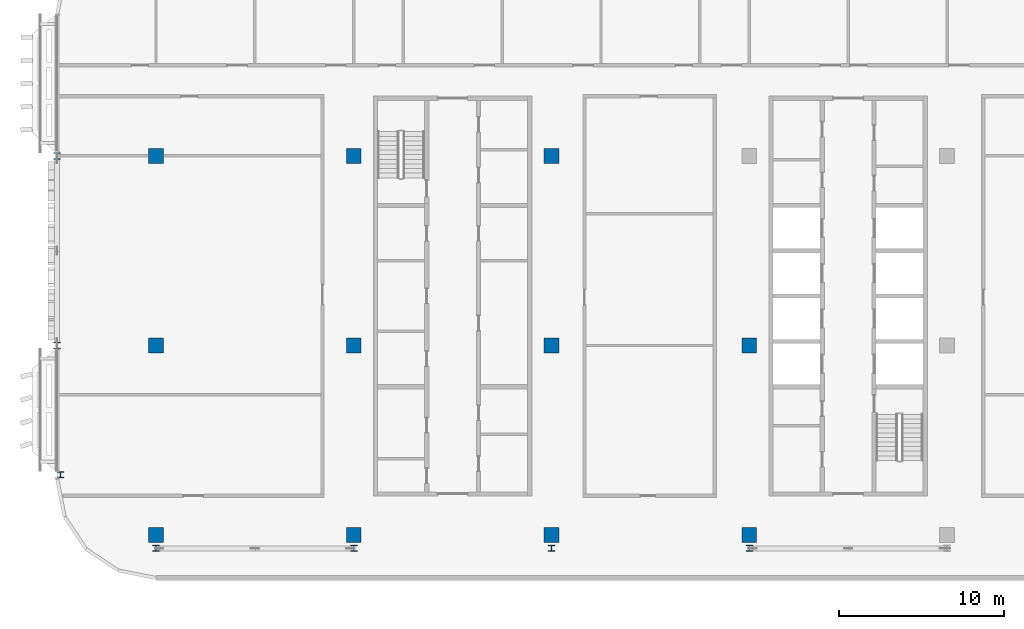
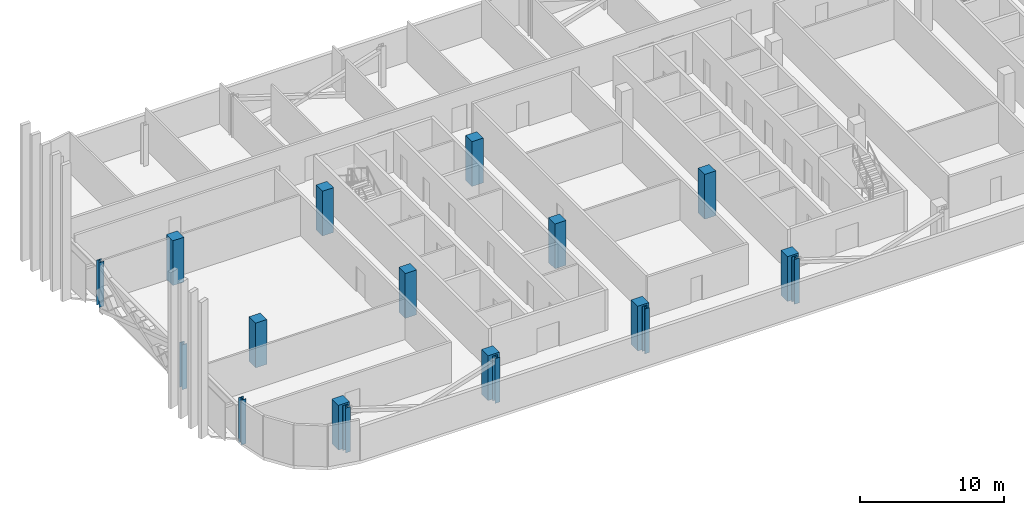
# One storey, part 1 of 30: 18 columns.
"""IFC4 building model written with IfcOpenShell, lengths in metres."""

from ifc_helpers import new_model, si_unit, direction, frame, origin, origin_2d, place, context, subcontext, project, spatial, rectangle, i_section, extrude, material, material_profile, profile_set, type_object, element, save


model = new_model("IFC4")

# Units and contexts
model_context = context("Model", 3, precision=1e-05, world=origin(), true_north=direction((0.0, 1.0)))
body_context = subcontext(model_context, "Body", "Model", "MODEL_VIEW")
ifc_project = project(units=[si_unit("LENGTHUNIT", "METRE"), si_unit("AREAUNIT", "SQUARE_METRE"), si_unit("VOLUMEUNIT", "CUBIC_METRE"), si_unit("PLANEANGLEUNIT", "RADIAN"), si_unit("MASSUNIT", "GRAM", prefix="KILO")], contexts=[model_context])

# Site, building, storey
site_placement = place(None, origin())
site = spatial("IfcSite", under=ifc_project, at=site_placement, CompositionType="ELEMENT")
building_placement = place(site_placement, origin())
building = spatial("IfcBuilding", under=site, at=building_placement, Name="Mahtab Terrace Research Tower", CompositionType="ELEMENT")
storey_placement = place(building_placement, frame((0.0, 0.0, 263.300048828125)))
storey = spatial("IfcBuildingStorey", under=building, at=storey_placement, Name="L64", CompositionType="ELEMENT", Elevation=263.300048828125)

# Columns
ifc_material_1 = material(Name="Concrete C70/85", Category="concrete")
ifc_material_profile_1 = material_profile(ifc_material_1, rectangle(XDim=0.89990234375, YDim=0.89990234375, at=origin_2d()), Name="RC column 900x900")
ifc_profile_set_1 = profile_set([ifc_material_profile_1], Name="Concrete C70/85")
column_type_1 = type_object("IfcColumnType", Name="RC column 900x900", PredefinedType="COLUMN", material=ifc_profile_set_1)
for number, where, z_axis, x_axis, name in (
    (1, (-42.0, -11.5, -0.340087890625), (0.0, 0.0, 1.0), (1.0, 0.0, 0.0), "Column RC-1A L64"),
    (2, (-42.0, 0.0, -0.340087890625), (0.0, 0.0, 1.0), (1.0, 0.0, 0.0), "Column RC-1B L64"),
    (3, (-42.0, 11.5, -0.340087890625), (0.0, 0.0, 1.0), (1.0, 0.0, 0.0), "Column RC-1C L64"),
    (4, (-30.0, -11.5, -0.340087890625), (0.0, 0.0, 1.0), (1.0, 0.0, 0.0), "Column RC-2A L64"),
    (5, (-30.0, 0.0, -0.340087890625), (0.0, 0.0, 1.0), (1.0, 0.0, 0.0), "Column RC-2B L64"),
    (6, (-30.0, 11.5, -0.340087890625), (0.0, 0.0, 1.0), (1.0, 0.0, 0.0), "Column RC-2C L64"),
    (7, (-18.0, -11.5, -0.340087890625), (0.0, 0.0, 1.0), (1.0, 0.0, 0.0), "Column RC-3A L64"),
    (8, (-18.0, 0.0, -0.340087890625), (0.0, 0.0, 1.0), (1.0, 0.0, 0.0), "Column RC-3B L64"),
    (9, (-18.0, 11.5, -0.340087890625), (0.0, 0.0, 1.0), (1.0, 0.0, 0.0), "Column RC-3C L64"),
    (10, (-6.0, -11.5, -0.340087890625), (0.0, 0.0, 1.0), (1.0, 0.0, 0.0), "Column RC-4A L64"),
    (11, (-6.0, 0.0, -0.340087890625), (0.0, 0.0, 1.0), (1.0, 0.0, 0.0), "Column RC-4B L64"),
):
    element("IfcColumn", number, at=place(storey_placement, frame(where, z_axis=z_axis, x_axis=x_axis)), inside=storey, type_object=column_type_1, Name=name, PredefinedType="COLUMN", context=body_context, shape_type="SweptSolid", body=[
        extrude(rectangle(XDim=0.89990234375, YDim=0.89990234375, at=origin_2d()), origin(), (0.0, 0.0, 1.0), 3.800048828125),
    ])
ifc_material_2 = material(Name="Steel ASTM A992 Gr 50", Category="steel")
ifc_material_profile_2 = material_profile(ifc_material_2, i_section(OverallWidth=0.393798828125, OverallDepth=0.3759765625, WebThickness=0.017333984375, FlangeThickness=0.027587890625, at=origin_2d()), Name="W14X145")
ifc_profile_set_2 = profile_set([ifc_material_profile_2], Name="Steel ASTM A992 Gr 50")
column_type_2 = type_object("IfcColumnType", Name="W14x145 column CS14145", PredefinedType="COLUMN", material=ifc_profile_set_2)
for number, where, z_axis, x_axis, name in (
    (12, (-48.0, 11.5, -0.340087890625), (0.0, 0.0, 1.0), (1.0, 0.0, 0.0), "Column SC-009 L64"),
    (13, (-48.0, 0.0, -0.340087890625), (0.0, 0.0, 1.0), (1.0, 0.0, 0.0), "Column SC-010 L64"),
    (14, (-47.798095703125, -7.847900390625, -0.340087890625), (0.0, 0.0, 1.0), (1.0, 0.0, 0.0), "Column SC-080 L64"),
    (15, (-42.0, -12.306884765625, -0.340087890625), (0.0, 0.0, 1.0), (1.0, 0.0, 0.0), "Column SC-081 L64"),
    (16, (-30.0, -12.306884765625, -0.340087890625), (0.0, 0.0, 1.0), (1.0, 0.0, 0.0), "Column SC-082 L64"),
    (17, (-18.0, -12.306884765625, -0.340087890625), (0.0, 0.0, 1.0), (1.0, 0.0, 0.0), "Column SC-083 L64"),
    (18, (-6.0, -12.306884765625, -0.340087890625), (0.0, 0.0, 1.0), (1.0, 0.0, 0.0), "Column SC-084 L64"),
):
    element("IfcColumn", number, at=place(storey_placement, frame(where, z_axis=z_axis, x_axis=x_axis)), inside=storey, type_object=column_type_2, Name=name, PredefinedType="COLUMN", context=body_context, shape_type="SweptSolid", body=[
        extrude(i_section(OverallWidth=0.393798828125, OverallDepth=0.3759765625, WebThickness=0.017333984375, FlangeThickness=0.027587890625, at=origin_2d()), origin(), (0.0, 0.0, 1.0), 3.800048828125),
    ])

save(model, "model.ifc")
